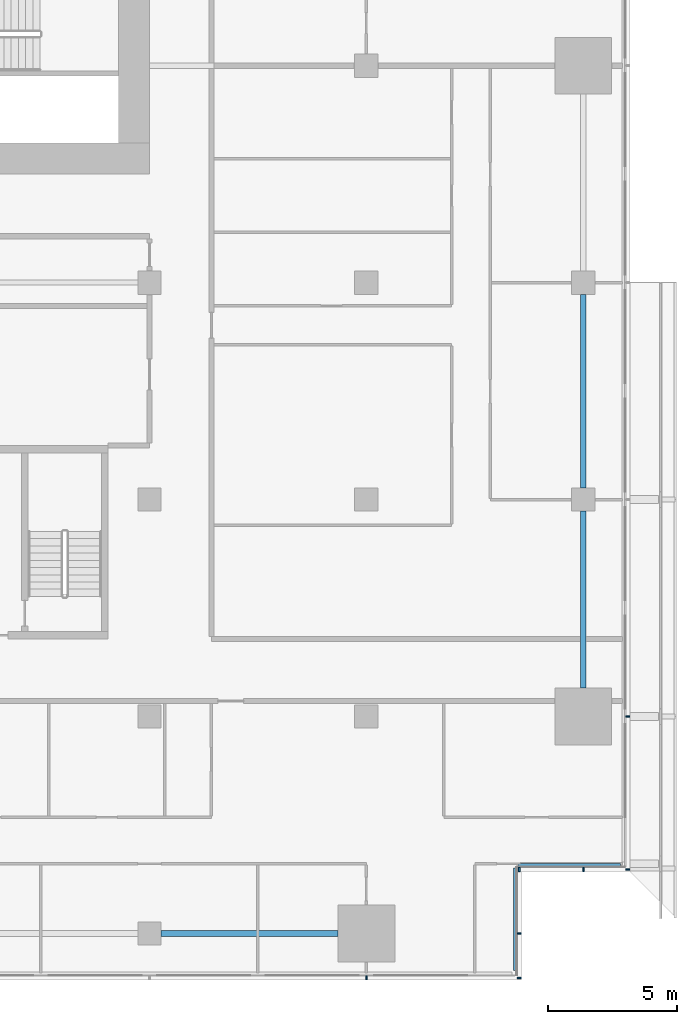
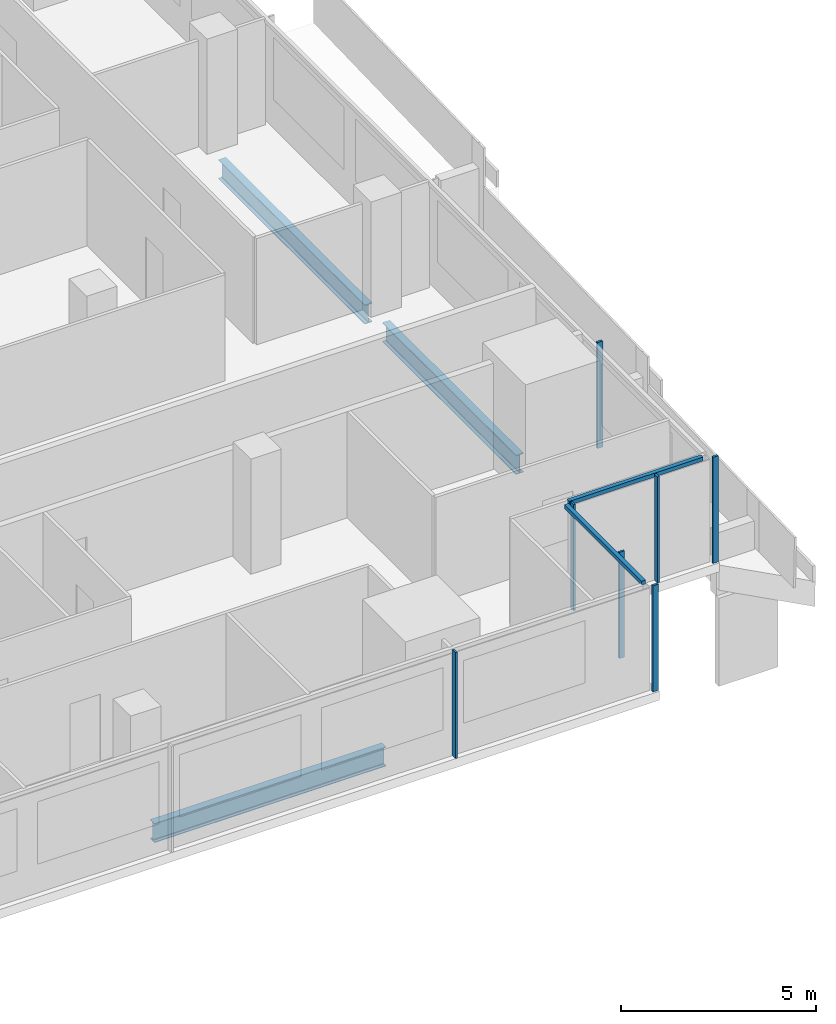
# One storey, part 10 of 25: 9 members, 3 beams, 4 elements without a shape of their own.
"""IFC4 building model written with IfcOpenShell, lengths in metres."""

import ifcopenshell
import ifcopenshell.guid

model = None  # the IFC model being written
_history = None  # IfcOwnerHistory: only IFC2X3 demands one
_inside = {}  # id of a spatial element -> (the spatial element, [elements in it])
_under = {}  # id of a project, library or spatial element -> (it, [spatial elements below it])
_declared = {}  # id of a project -> (the project, [libraries it declares])
_typed = {}  # id of a type object -> (the type object, [elements of that type])
_made_of = {}  # id of a material, layer set ... -> (it, [elements and type objects made of it])


def new_model(schema):
    """Start an empty IFC model of exactly this schema.

    Asked for "IFC4X3", IfcOpenShell would pick the latest addendum, in which some entities
    have other attributes; the version numbers below select the first issue.
    IFC2X3 requires an IfcOwnerHistory on every rooted entity: one is made here for all.
    """
    global model, _history
    if schema == "IFC4X3":
        model = ifcopenshell.file(schema_version=(4, 3, 0, 0))
    else:
        model = ifcopenshell.file(schema=schema)
    _inside.clear()
    _under.clear()
    _declared.clear()
    _typed.clear()
    _made_of.clear()
    _history = None
    if model.schema == "IFC2X3":
        org = make("IfcOrganization", Name="unknown")
        user = make(
            "IfcPersonAndOrganization",
            ThePerson=make("IfcPerson", FamilyName="unknown"),
            TheOrganization=org,
        )
        app = make(
            "IfcApplication",
            ApplicationDeveloper=org,
            Version="unknown",
            ApplicationFullName="unknown",
            ApplicationIdentifier="unknown",
        )
        _history = make(
            "IfcOwnerHistory",
            OwningUser=user,
            OwningApplication=app,
            ChangeAction="ADDED",
            CreationDate=0,
        )
    return model


def make(cls, **values):
    """One entity of the class cls with the attributes given. An attribute that is None is left unset."""
    return model.create_entity(
        cls, **{name: value for name, value in values.items() if value is not None}
    )


def rooted(cls, **values):
    """An entity with a GlobalId (a new one), such as an element, a storey or a relation."""
    return make(cls, GlobalId=ifcopenshell.guid.new(), OwnerHistory=_history, **values)


def si_unit(unit_type, name, prefix=None):
    """IfcSIUnit, for example si_unit("LENGTHUNIT", "METRE", prefix="MILLI")."""
    return make("IfcSIUnit", UnitType=unit_type, Prefix=prefix, Name=name)


def assignment(units):
    """IfcUnitAssignment: the units of a project."""
    return None if units is None else make("IfcUnitAssignment", Units=units)


def point(xyz):
    """IfcCartesianPoint."""
    return None if xyz is None else make("IfcCartesianPoint", Coordinates=xyz)


def direction(xyz):
    """IfcDirection."""
    return None if xyz is None else make("IfcDirection", DirectionRatios=xyz)


def frame(location, z_axis=None, x_axis=None):
    """IfcAxis2Placement3D, a coordinate frame: its origin and axes. An axis left out is left unset."""
    return make(
        "IfcAxis2Placement3D",
        Location=point(location),
        Axis=direction(z_axis),
        RefDirection=direction(x_axis),
    )


def frame_2d(location, x_axis=None):
    """IfcAxis2Placement2D, a coordinate frame in the plane: its origin and x axis."""
    return make(
        "IfcAxis2Placement2D", Location=point(location), RefDirection=direction(x_axis)
    )


def origin():
    """The frame at (0, 0, 0) with its axes left unset."""
    return frame((0.0, 0.0, 0.0))


def origin_2d():
    """The frame at (0, 0) in the plane with its x axis left unset."""
    return frame_2d((0.0, 0.0))


def place(relative_to, where):
    """IfcLocalPlacement: puts the frame where relative to a parent placement (None: the world)."""
    return make(
        "IfcLocalPlacement", PlacementRelTo=relative_to, RelativePlacement=where
    )


def context(
    kind, dimensions, precision=None, world=None, true_north=None, identifier=None
):
    """IfcGeometricRepresentationContext, for example the 3D "Model" context."""
    return make(
        "IfcGeometricRepresentationContext",
        ContextIdentifier=identifier,
        ContextType=kind,
        CoordinateSpaceDimension=dimensions,
        Precision=precision,
        WorldCoordinateSystem=world,
        TrueNorth=true_north,
    )


def subcontext(parent, identifier, kind, view, scale=None):
    """IfcGeometricRepresentationSubContext, for example "Body" below "Model"."""
    return make(
        "IfcGeometricRepresentationSubContext",
        ContextIdentifier=identifier,
        ContextType=kind,
        ParentContext=parent,
        TargetScale=scale,
        TargetView=view,
    )


def project(units=None, contexts=None):
    """IfcProject with its units and contexts."""
    return rooted(
        "IfcProject",
        Name="project",
        RepresentationContexts=contexts,
        UnitsInContext=assignment(units),
    )


def spatial(cls, under=None, at=None, **own):
    """A site, building, storey or space (cls), placed at a placement, below another one or the project."""
    s = rooted(cls, ObjectPlacement=at, **own)
    if under is not None:
        _under.setdefault(under.id(), (under, []))[1].append(s)
    return s


def profile(cls, at=None, kind="AREA", **sizes):
    """A parametric profile (cls). Its sizes go by their IFC names, for example OverallWidth=200.0."""
    return make(cls, ProfileType=kind, Position=at, **sizes)


def rectangle(**sizes):
    """IfcRectangleProfileDef."""
    return profile("IfcRectangleProfileDef", **sizes)


def i_section(**sizes):
    """IfcIShapeProfileDef."""
    return profile("IfcIShapeProfileDef", **sizes)


def extrude(swept, where, along, depth):
    """IfcExtrudedAreaSolid: the profile swept, set in the frame where, extruded along a direction by depth."""
    return make(
        "IfcExtrudedAreaSolid",
        SweptArea=swept,
        Position=where,
        ExtrudedDirection=direction(along),
        Depth=depth,
    )


def shape(context_of_items, identifier, shape_type, items):
    """IfcShapeRepresentation: the items that make up one representation, for example the "Body"."""
    return make(
        "IfcShapeRepresentation",
        ContextOfItems=context_of_items,
        RepresentationIdentifier=identifier,
        RepresentationType=shape_type,
        Items=items,
    )


def material(Name=None, Category=None):
    """IfcMaterial."""
    return make("IfcMaterial", Name=Name, Category=Category)


def material_profile(
    of_material, cross_section, Name=None, Category=None, Priority=None
):
    """IfcMaterialProfile: a cross section and its material."""
    return make(
        "IfcMaterialProfile",
        Name=Name,
        Material=of_material,
        Profile=cross_section,
        Priority=Priority,
        Category=Category,
    )


def profile_set(profiles, Name=None, composite=None):
    """IfcMaterialProfileSet."""
    return make(
        "IfcMaterialProfileSet",
        Name=Name,
        MaterialProfiles=profiles,
        CompositeProfile=composite,
    )


def made_of(thing, what):
    """Note that an element or type object is made of a material, layer set ...; save() writes the relation."""
    if what is not None:
        _made_of.setdefault(what.id(), (what, []))[1].append(thing)
    return thing


def type_object(cls, material=None, **own):
    """A type object (cls), such as IfcWallType, which elements share."""
    return made_of(rooted(cls, **own), material)


def element(
    cls,
    number,
    at=None,
    inside=None,
    cuts=None,
    type_object=None,
    material=None,
    context=None,
    identifier="Body",
    shape_type=None,
    held_by="IfcProductDefinitionShape",
    body=None,
    shapes=None,
    **own,
):
    """One element of the class cls, such as IfcWall. Its Tag is "e" and its number.

    at: its placement. inside: the storey or other place that contains it. cuts: it is an
    opening in that element (IfcRelVoidsElement). A single representation is given by context,
    identifier, shape_type and body (its items); several are given by shapes. held_by: the class
    of the entity that holds the representations. save() writes the other relations.
    """
    e = rooted(cls, Tag="e%d" % number, ObjectPlacement=at, **own)
    if body is not None:
        shapes = [shape(context, identifier, shape_type, body)]
    if shapes is not None:
        e.Representation = make(held_by, Representations=shapes)
    if inside is not None:
        _inside.setdefault(inside.id(), (inside, []))[1].append(e)
    if cuts is not None:
        rooted(
            "IfcRelVoidsElement", RelatingBuildingElement=cuts, RelatedOpeningElement=e
        )
    if type_object is not None:
        _typed.setdefault(type_object.id(), (type_object, []))[1].append(e)
    return made_of(e, material)


def aggregate(whole, parts):
    """IfcRelAggregates: a whole, such as a stair, and the parts it consists of."""
    return rooted("IfcRelAggregates", RelatingObject=whole, RelatedObjects=parts)


def save(model, path):
    """Write the relations noted so far, then the file.

    IfcRelAggregates (storeys below a building ...), IfcRelContainedInSpatialStructure (elements
    in a storey), IfcRelDefinesByType, IfcRelAssociatesMaterial and IfcRelDeclares: one each for
    every whole, place, type object, material and project.
    """
    for whole, parts in _under.values():
        aggregate(whole, parts)
    for where, things in _inside.values():
        rooted(
            "IfcRelContainedInSpatialStructure",
            RelatedElements=things,
            RelatingStructure=where,
        )
    for kind, things in _typed.values():
        rooted("IfcRelDefinesByType", RelatedObjects=things, RelatingType=kind)
    for what, things in _made_of.values():
        rooted("IfcRelAssociatesMaterial", RelatedObjects=things, RelatingMaterial=what)
    for by, libraries in _declared.values():
        rooted("IfcRelDeclares", RelatingContext=by, RelatedDefinitions=libraries)
    model.write(path)


model = new_model("IFC4")

# Units and contexts
model_context = context("Model", 3, precision=1e-05, world=origin(), true_north=direction((0.0, 1.0)))
body_context = subcontext(model_context, "Body", "Model", "MODEL_VIEW")
ifc_project = project(units=[si_unit("LENGTHUNIT", "METRE"), si_unit("AREAUNIT", "SQUARE_METRE"), si_unit("VOLUMEUNIT", "CUBIC_METRE"), si_unit("PLANEANGLEUNIT", "RADIAN"), si_unit("MASSUNIT", "GRAM", prefix="KILO")], contexts=[model_context])

# Site, building, storey
site_placement = place(None, origin())
site = spatial("IfcSite", under=ifc_project, at=site_placement, CompositionType="ELEMENT")
building_placement = place(site_placement, origin())
building = spatial("IfcBuilding", under=site, at=building_placement, Name="Saffron Gate Tower", CompositionType="ELEMENT")
storey_placement = place(building_placement, frame((0.0, 0.0, 73.199951171875)))
storey = spatial("IfcBuildingStorey", under=building, at=storey_placement, Name="L17", CompositionType="ELEMENT", Elevation=73.199951171875)

# Beams
ifc_material_1 = material(Name="Structural steel S355", Category="steel")
ifc_material_profile_1 = material_profile(ifc_material_1, i_section(OverallWidth=0.219970703125, OverallDepth=0.60009765625, WebThickness=0.011962890625, FlangeThickness=0.01904296875, FilletRadius=0.02392578125, at=origin_2d()))
ifc_profile_set_1 = profile_set([ifc_material_profile_1], Name="Structural steel S355")
beam_type = type_object("IfcBeamType", Name="B16 IPE 600", PredefinedType="SPANDREL", material=ifc_profile_set_1)
for number, where, z_axis, x_axis, name in (
    (1, (109.050048828125, 31.800048828125, -0.579833984375), (1.0, 0.0, 0.0), (0.0, 1.0, 0.0), "B16 SPANDREL BEAM"),
    (2, (125.39990234375, 41.300048828125, -0.579833984375), (0.0, 1.0, 0.0), (-1.0, 0.0, 0.0), "B16 SPANDREL BEAM"),
):
    element("IfcBeam", number, at=place(storey_placement, frame(where, z_axis=z_axis, x_axis=x_axis)), inside=storey, type_object=beam_type, Name=name, PredefinedType="SPANDREL", context=body_context, shape_type="SweptSolid", body=[
        extrude(i_section(OverallWidth=0.219970703125, OverallDepth=0.60009765625, WebThickness=0.011962890625, FlangeThickness=0.01904296875, FilletRadius=0.02392578125, at=origin_2d()), origin(), (0.0, 0.0, 1.0), 6.849853515625),
    ])
beam_placement = place(storey_placement, frame((125.39990234375, 49.050048828125, -0.579833984375), z_axis=(0.0, 1.0, 0.0), x_axis=(-1.0, 0.0, 0.0)))
element("IfcBeam", 3, at=beam_placement, inside=storey, type_object=beam_type, Name="B16 SPANDREL BEAM", PredefinedType="SPANDREL", context=body_context, shape_type="SweptSolid", body=[
    extrude(i_section(OverallWidth=0.219970703125, OverallDepth=0.60009765625, WebThickness=0.011962890625, FlangeThickness=0.01904296875, FilletRadius=0.02392578125, at=origin_2d()), origin(), (0.0, 0.0, 1.0), 7.5),
])

# Curtain wall, member
ifc_material_2 = material(Name="Aluminium, bronze anodised", Category="aluminium")
curtain_wall_type_1 = type_object("IfcCurtainWallType", Name="CWS1 curtain wall front facade", PredefinedType="NOTDEFINED", material=ifc_material_2)
curtain_wall_1_placement = place(storey_placement, origin())
curtain_wall_1 = element("IfcCurtainWall", 4, at=curtain_wall_1_placement, inside=storey, type_object=curtain_wall_type_1, Name="CWS1 run 1", PredefinedType="NOTDEFINED")
ifc_material_profile_2 = material_profile(ifc_material_2, rectangle(XDim=0.159912109375, YDim=0.06005859375, at=origin_2d()))
ifc_profile_set_2 = profile_set([ifc_material_profile_2], Name="Aluminium, bronze anodised")
member_type_1 = type_object("IfcMemberType", Name="CWS1 mullion 60x160", PredefinedType="MULLION", material=ifc_profile_set_2)
member_1_placement = place(storey_placement, frame((117.0, 30.080078125, 0.0), z_axis=(0.0, 0.0, 1.0), x_axis=(0.0, 1.0, 0.0)))
member_1 = element("IfcMember", 5, at=member_1_placement, type_object=member_type_1, Name="CWS1 mullion 9", PredefinedType="MULLION", context=body_context, shape_type="SweptSolid", body=[
    extrude(rectangle(XDim=0.159912109375, YDim=0.06005859375, at=origin_2d()), origin(), (0.0, 0.0, 1.0), 3.320068359375),
])
aggregate(curtain_wall_1, [member_1])

# Curtain wall, members
curtain_wall_type_2 = type_object("IfcCurtainWallType", Name="CWS2 curtain wall side facades", PredefinedType="NOTDEFINED", material=ifc_material_2)
curtain_wall_2_placement = place(storey_placement, origin())
curtain_wall_2 = element("IfcCurtainWall", 6, at=curtain_wall_2_placement, inside=storey, type_object=curtain_wall_type_2, Name="CWS2 run 4", PredefinedType="NOTDEFINED")
ifc_material_profile_3 = material_profile(ifc_material_2, rectangle(XDim=0.159912109375, YDim=0.06005859375, at=origin_2d()))
ifc_profile_set_3 = profile_set([ifc_material_profile_3], Name="Aluminium, bronze anodised")
member_type_2 = type_object("IfcMemberType", Name="CWS2 mullion 60x160", PredefinedType="MULLION", material=ifc_profile_set_3)
member_2_placement = place(storey_placement, frame((127.1201171875, 34.280029296875, 0.0), z_axis=(0.0, 0.0, 1.0), x_axis=(-1.0, 0.0, 0.0)))
member_2 = element("IfcMember", 7, at=member_2_placement, type_object=member_type_2, Name="CWS2 mullion 1", PredefinedType="MULLION", context=body_context, shape_type="SweptSolid", body=[
    extrude(rectangle(XDim=0.159912109375, YDim=0.06005859375, at=origin_2d()), origin(), (0.0, 0.0, 1.0), 3.320068359375),
])
member_3_placement = place(storey_placement, frame((127.1201171875, 40.199951171875, 0.0), z_axis=(0.0, 0.0, 1.0), x_axis=(-1.0, 0.0, 0.0)))
member_3 = element("IfcMember", 8, at=member_3_placement, type_object=member_type_2, Name="CWS2 mullion 2", PredefinedType="MULLION", context=body_context, shape_type="SweptSolid", body=[
    extrude(rectangle(XDim=0.159912109375, YDim=0.06005859375, at=origin_2d()), origin(), (0.0, 0.0, 1.0), 3.320068359375),
])
aggregate(curtain_wall_2, [member_2, member_3])

# Curtain wall, member
curtain_wall_type_3 = type_object("IfcCurtainWallType", Name="CWS4 curtain wall corner returns", PredefinedType="NOTDEFINED", material=ifc_material_2)
curtain_wall_3_placement = place(storey_placement, origin())
curtain_wall_3 = element("IfcCurtainWall", 9, at=curtain_wall_3_placement, inside=storey, type_object=curtain_wall_type_3, Name="CWS4 run 2", PredefinedType="NOTDEFINED")
ifc_material_profile_4 = material_profile(ifc_material_2, rectangle(XDim=0.1201171875, YDim=0.1201171875, at=origin_2d()))
ifc_profile_set_4 = profile_set([ifc_material_profile_4], Name="Aluminium, bronze anodised")
member_type_3 = type_object("IfcMemberType", Name="CWS4 head transom", PredefinedType="USERDEFINED", material=ifc_profile_set_4)
member_4_placement = place(storey_placement, frame((122.751953125, 30.367919921875, 3.260009765625), z_axis=(0.0, 1.0, 0.0), x_axis=(-1.0, 0.0, 0.0)))
member_4 = element("IfcMember", 10, at=member_4_placement, type_object=member_type_3, Name="CWS4 head transom", ObjectType="TRANSOM", PredefinedType="USERDEFINED", context=body_context, shape_type="SweptSolid", body=[
    extrude(rectangle(XDim=0.1201171875, YDim=0.1201171875, at=origin_2d()), origin(), (0.0, 0.0, 1.0), 3.9599609375),
])

curtain_wall_4_placement = place(storey_placement, origin())
curtain_wall_4 = element("IfcCurtainWall", 11, at=curtain_wall_4_placement, inside=storey, type_object=curtain_wall_type_3, Name="CWS4 run 3", PredefinedType="NOTDEFINED")
member_5_placement = place(storey_placement, frame((122.8720703125, 34.447998046875, 3.260009765625), z_axis=(1.0, 0.0, 0.0), x_axis=(0.0, 1.0, 0.0)))
member_5 = element("IfcMember", 12, at=member_5_placement, type_object=member_type_3, Name="CWS4 head transom", ObjectType="TRANSOM", PredefinedType="USERDEFINED", context=body_context, shape_type="SweptSolid", body=[
    extrude(rectangle(XDim=0.1201171875, YDim=0.1201171875, at=origin_2d()), origin(), (0.0, 0.0, 1.0), 3.9599609375),
])

# Member
ifc_material_profile_5 = material_profile(ifc_material_2, rectangle(XDim=0.159912109375, YDim=0.06005859375, at=origin_2d()))
ifc_profile_set_5 = profile_set([ifc_material_profile_5], Name="Aluminium, bronze anodised")
member_type_4 = type_object("IfcMemberType", Name="CWS4 mullion 60x160", PredefinedType="MULLION", material=ifc_profile_set_5)
member_6_placement = place(storey_placement, frame((122.919921875, 30.080078125, 0.0), z_axis=(0.0, 0.0, 1.0), x_axis=(-1.0, 0.0, 0.0)))
member_6 = element("IfcMember", 13, at=member_6_placement, type_object=member_type_4, Name="CWS4 mullion 1", PredefinedType="MULLION", context=body_context, shape_type="SweptSolid", body=[
    extrude(rectangle(XDim=0.159912109375, YDim=0.06005859375, at=origin_2d()), origin(), (0.0, 0.0, 1.0), 3.320068359375),
])

member_7_placement = place(storey_placement, frame((122.919921875, 31.800048828125, 0.0), z_axis=(0.0, 0.0, 1.0), x_axis=(-1.0, 0.0, 0.0)))
member_7 = element("IfcMember", 14, at=member_7_placement, type_object=member_type_4, Name="CWS4 mullion 2", PredefinedType="MULLION", context=body_context, shape_type="SweptSolid", body=[
    extrude(rectangle(XDim=0.159912109375, YDim=0.06005859375, at=origin_2d()), origin(), (0.0, 0.0, 1.0), 3.320068359375),
])

aggregate(curtain_wall_3, [member_6, member_7, member_4])

member_8_placement = place(storey_placement, frame((122.919921875, 34.280029296875, 0.0), z_axis=(0.0, 0.0, 1.0), x_axis=(0.0, 1.0, 0.0)))
member_8 = element("IfcMember", 15, at=member_8_placement, type_object=member_type_4, Name="CWS4 mullion 1", PredefinedType="MULLION", context=body_context, shape_type="SweptSolid", body=[
    extrude(rectangle(XDim=0.159912109375, YDim=0.06005859375, at=origin_2d()), origin(), (0.0, 0.0, 1.0), 3.320068359375),
])

member_9_placement = place(storey_placement, frame((125.39990234375, 34.280029296875, 0.0), z_axis=(0.0, 0.0, 1.0), x_axis=(0.0, 1.0, 0.0)))
member_9 = element("IfcMember", 16, at=member_9_placement, type_object=member_type_4, Name="CWS4 mullion 2", PredefinedType="MULLION", context=body_context, shape_type="SweptSolid", body=[
    extrude(rectangle(XDim=0.159912109375, YDim=0.06005859375, at=origin_2d()), origin(), (0.0, 0.0, 1.0), 3.320068359375),
])

aggregate(curtain_wall_4, [member_8, member_9, member_5])

save(model, "model.ifc")
